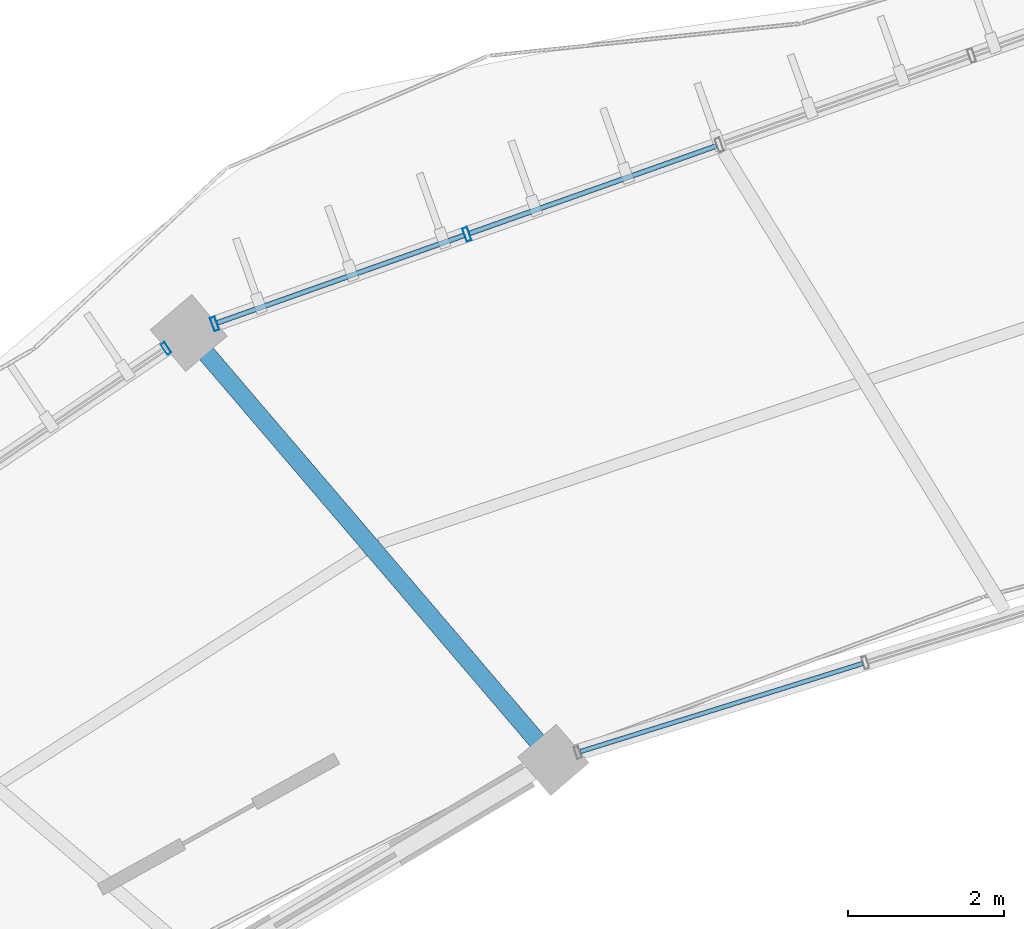
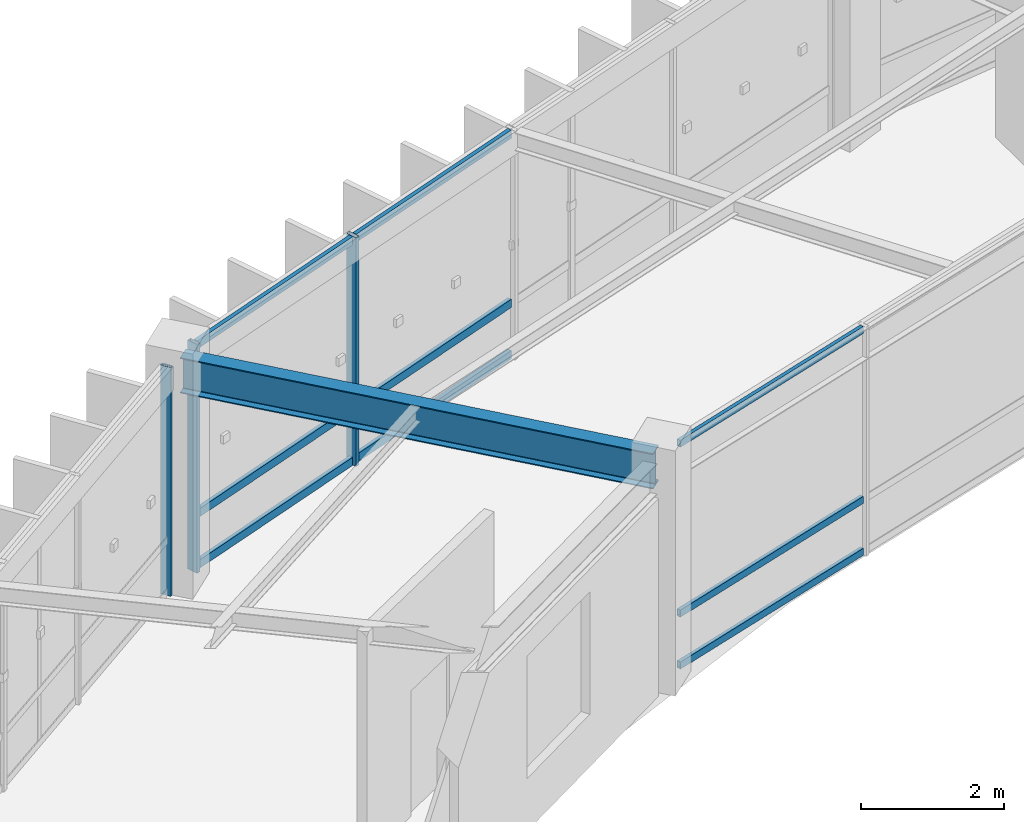
# One storey, part 46 of 138: 12 members, 1 beam, 3 elements without a shape of their own.
"""IFC4 building model written with IfcOpenShell, lengths in metres."""

from ifc_helpers import new_model, si_unit, direction, frame, origin, origin_2d, place, context, subcontext, project, spatial, hollow_rectangle, i_section, extrude, material, material_profile, profile_set, type_object, element, aggregate, save


model = new_model("IFC4")

# Units and contexts
model_context = context("Model", 3, precision=1e-05, world=origin(), true_north=direction((0.0, 1.0)))
body_context = subcontext(model_context, "Body", "Model", "MODEL_VIEW")
ifc_project = project(units=[si_unit("LENGTHUNIT", "METRE"), si_unit("AREAUNIT", "SQUARE_METRE"), si_unit("VOLUMEUNIT", "CUBIC_METRE"), si_unit("PLANEANGLEUNIT", "RADIAN"), si_unit("MASSUNIT", "GRAM", prefix="KILO"), si_unit("THERMODYNAMICTEMPERATUREUNIT", "KELVIN"), si_unit("POWERUNIT", "WATT")], contexts=[model_context])

# Site, building, storey
site_placement = place(None, origin())
site = spatial("IfcSite", under=ifc_project, at=site_placement, CompositionType="ELEMENT")
building_placement = place(site_placement, origin())
building = spatial("IfcBuilding", under=site, at=building_placement, Name="Darbajah Civic Hall", CompositionType="ELEMENT")
storey_placement = place(building_placement, frame((0.0, 0.0, 9.60009765625)))
storey = spatial("IfcBuildingStorey", under=building, at=storey_placement, Name="L02", CompositionType="ELEMENT", Elevation=9.60009765625)

# Curtain wall, member
ifc_material_1 = material(Name="Anodised Bronze Aluminium and Low-E Glazing", Category="aluminium")
curtain_wall_type_1 = type_object("IfcCurtainWallType", Name="Unitised Curtain Wall CW-26 11800x3900", PredefinedType="USERDEFINED", material=ifc_material_1)
curtain_wall_1_placement = place(storey_placement, origin())
curtain_wall_1 = element("IfcCurtainWall", 1, at=curtain_wall_1_placement, inside=storey, type_object=curtain_wall_type_1, Name="L02 unitised curtain wall CW-V1O-L02-07", ObjectType="UNITISED CURTAIN WALL", PredefinedType="USERDEFINED")
ifc_material_2 = material(Name="Anodised Bronze Aluminium", Category="aluminium")
ifc_material_profile_1 = material_profile(ifc_material_2, hollow_rectangle(XDim=0.06005859375, YDim=0.159912109375, WallThickness=0.00341796875, at=origin_2d()), Name="ALU MULLION 60x160")
ifc_profile_set_1 = profile_set([ifc_material_profile_1], Name="Anodised Bronze Aluminium")
member_type_1 = type_object("IfcMemberType", Name="ALU MULLION 60x160", PredefinedType="MULLION", material=ifc_profile_set_1)
member_1_placement = place(storey_placement, frame((55.686767578125, 112.03466796875, 0.0), z_axis=(0.0, 0.0, 1.0), x_axis=(-0.827962472047, -0.560783509816, 0.0)))
member_1 = element("IfcMember", 2, at=member_1_placement, type_object=member_type_1, Name="CW-V1O-L02-07 mullion 1", PredefinedType="MULLION", context=body_context, shape_type="SweptSolid", body=[
    extrude(hollow_rectangle(XDim=0.06005859375, YDim=0.159912109375, WallThickness=0.00341796875, at=origin_2d()), origin(), (0.0, 0.0, 1.0), 3.919921875),
])
aggregate(curtain_wall_1, [member_1])

# Curtain wall, members
curtain_wall_type_2 = type_object("IfcCurtainWallType", Name="Unitised Curtain Wall CW-24 13700x3900", PredefinedType="USERDEFINED", material=ifc_material_1)
curtain_wall_2_placement = place(storey_placement, origin())
curtain_wall_2 = element("IfcCurtainWall", 3, at=curtain_wall_2_placement, inside=storey, type_object=curtain_wall_type_2, Name="L02 unitised curtain wall CW-V1O-L02-06", ObjectType="UNITISED CURTAIN WALL", PredefinedType="USERDEFINED")
ifc_material_profile_2 = material_profile(ifc_material_2, hollow_rectangle(XDim=0.06494140625, YDim=0.179931640625, WallThickness=0.00390625, at=origin_2d()), Name="ALU MULLION 65x180")
ifc_profile_set_2 = profile_set([ifc_material_profile_2], Name="Anodised Bronze Aluminium")
member_type_2 = type_object("IfcMemberType", Name="ALU MULLION 65x180", PredefinedType="MULLION", material=ifc_profile_set_2)
member_2_placement = place(storey_placement, frame((59.545166015625, 113.496337890625, 0.0), z_axis=(0.0, 0.0, 1.0), x_axis=(-0.94252491309, -0.334135882844, 0.0)))
member_2 = element("IfcMember", 4, at=member_2_placement, type_object=member_type_2, Name="CW-V1O-L02-06 mullion 4", PredefinedType="MULLION", context=body_context, shape_type="SweptSolid", body=[
    extrude(hollow_rectangle(XDim=0.06494140625, YDim=0.179931640625, WallThickness=0.00390625, at=origin_2d()), origin(), (0.0, 0.0, 1.0), 3.919921875),
])
member_3_placement = place(storey_placement, frame((56.309814453125, 112.349609375, 0.0), z_axis=(0.0, 0.0, 1.0), x_axis=(-0.94252491309, -0.334135882844, 0.0)))
member_3 = element("IfcMember", 5, at=member_3_placement, type_object=member_type_2, Name="CW-V1O-L02-06 mullion 5", PredefinedType="MULLION", context=body_context, shape_type="SweptSolid", body=[
    extrude(hollow_rectangle(XDim=0.06494140625, YDim=0.179931640625, WallThickness=0.00390625, at=origin_2d()), origin(), (0.0, 0.0, 1.0), 3.919921875),
])

curtain_wall_type_3 = type_object("IfcCurtainWallType", Name="Unitised Curtain Wall CW-43 11600x3900", PredefinedType="USERDEFINED", material=ifc_material_1)
curtain_wall_3_placement = place(storey_placement, origin())
curtain_wall_3 = element("IfcCurtainWall", 6, at=curtain_wall_3_placement, inside=storey, type_object=curtain_wall_type_3, Name="L02 unitised curtain wall CW-V1I-L02-06", ObjectType="UNITISED CURTAIN WALL", PredefinedType="USERDEFINED")
ifc_material_profile_3 = material_profile(ifc_material_2, hollow_rectangle(XDim=0.06005859375, YDim=0.1201171875, WallThickness=0.003173828125, at=origin_2d()), Name="ALU TRANSOM 60x120")
ifc_profile_set_3 = profile_set([ifc_material_profile_3], Name="Anodised Bronze Aluminium")
member_type_3 = type_object("IfcMemberType", Name="ALU TRANSOM 60x120", PredefinedType="USERDEFINED", material=ifc_profile_set_3)
member_4_placement = place(storey_placement, frame((64.61962890625, 107.994384765625, 0.059814453125), z_axis=(-0.954616206684, -0.297838711278, 0.0), x_axis=(0.297838711278, -0.954616206684, 0.0)))
member_4 = element("IfcMember", 7, at=member_4_placement, type_object=member_type_3, Name="CW-V1I-L02-06 transom 3.1", ObjectType="TRANSOM", PredefinedType="USERDEFINED", context=body_context, shape_type="SweptSolid", body=[
    extrude(hollow_rectangle(XDim=0.06005859375, YDim=0.1201171875, WallThickness=0.003173828125, at=origin_2d()), origin(), (0.0, 0.0, 1.0), 3.7919921875),
])
member_5_placement = place(storey_placement, frame((64.61962890625, 107.994384765625, 0.949951171875), z_axis=(-0.954616206684, -0.297838711278, 0.0), x_axis=(0.297838711278, -0.954616206684, 0.0)))
member_5 = element("IfcMember", 8, at=member_5_placement, type_object=member_type_3, Name="CW-V1I-L02-06 transom 3.2", ObjectType="TRANSOM", PredefinedType="USERDEFINED", context=body_context, shape_type="SweptSolid", body=[
    extrude(hollow_rectangle(XDim=0.06005859375, YDim=0.1201171875, WallThickness=0.003173828125, at=origin_2d()), origin(), (0.0, 0.0, 1.0), 3.7919921875),
])
member_6_placement = place(storey_placement, frame((64.61962890625, 107.994384765625, 3.85986328125), z_axis=(-0.954616206684, -0.297838711278, 0.0), x_axis=(0.297838711278, -0.954616206684, 0.0)))
member_6 = element("IfcMember", 9, at=member_6_placement, type_object=member_type_3, Name="CW-V1I-L02-06 transom 3.3", ObjectType="TRANSOM", PredefinedType="USERDEFINED", context=body_context, shape_type="SweptSolid", body=[
    extrude(hollow_rectangle(XDim=0.06005859375, YDim=0.1201171875, WallThickness=0.003173828125, at=origin_2d()), origin(), (0.0, 0.0, 1.0), 3.7919921875),
])
aggregate(curtain_wall_3, [member_4, member_5, member_6])

# Member
ifc_material_profile_4 = material_profile(ifc_material_2, hollow_rectangle(XDim=0.06494140625, YDim=0.139892578125, WallThickness=0.00341796875, at=origin_2d()), Name="ALU TRANSOM 65x140")
ifc_profile_set_4 = profile_set([ifc_material_profile_4], Name="Anodised Bronze Aluminium")
member_type_4 = type_object("IfcMemberType", Name="ALU TRANSOM 65x140", PredefinedType="USERDEFINED", material=ifc_profile_set_4)
member_7_placement = place(storey_placement, frame((62.745361328125, 114.630615234375, 0.06982421875), z_axis=(-0.942537095742, -0.334101516234, 0.0), x_axis=(0.334101516234, -0.942537095742, 0.0)))
member_7 = element("IfcMember", 10, at=member_7_placement, type_object=member_type_4, Name="CW-V1O-L02-06 transom 3.1", ObjectType="TRANSOM", PredefinedType="USERDEFINED", context=body_context, shape_type="SweptSolid", body=[
    extrude(hollow_rectangle(XDim=0.06494140625, YDim=0.139892578125, WallThickness=0.00341796875, at=origin_2d()), origin(), (0.0, 0.0, 1.0), 3.357666015625),
])

member_8_placement = place(storey_placement, frame((62.745361328125, 114.630615234375, 0.949951171875), z_axis=(-0.942537095742, -0.334101516234, 0.0), x_axis=(0.334101516234, -0.942537095742, 0.0)))
member_8 = element("IfcMember", 11, at=member_8_placement, type_object=member_type_4, Name="CW-V1O-L02-06 transom 3.2", ObjectType="TRANSOM", PredefinedType="USERDEFINED", context=body_context, shape_type="SweptSolid", body=[
    extrude(hollow_rectangle(XDim=0.06494140625, YDim=0.139892578125, WallThickness=0.00341796875, at=origin_2d()), origin(), (0.0, 0.0, 1.0), 3.357666015625),
])

member_9_placement = place(storey_placement, frame((62.745361328125, 114.630615234375, 3.849853515625), z_axis=(-0.942537095742, -0.334101516234, 0.0), x_axis=(0.334101516234, -0.942537095742, 0.0)))
member_9 = element("IfcMember", 12, at=member_9_placement, type_object=member_type_4, Name="CW-V1O-L02-06 transom 3.3", ObjectType="TRANSOM", PredefinedType="USERDEFINED", context=body_context, shape_type="SweptSolid", body=[
    extrude(hollow_rectangle(XDim=0.06494140625, YDim=0.139892578125, WallThickness=0.00341796875, at=origin_2d()), origin(), (0.0, 0.0, 1.0), 3.357666015625),
])

member_10_placement = place(storey_placement, frame((59.510009765625, 113.48388671875, 0.06982421875), z_axis=(-0.942537095742, -0.334101516234, 0.0), x_axis=(0.334101516234, -0.942537095742, 0.0)))
member_10 = element("IfcMember", 13, at=member_10_placement, type_object=member_type_4, Name="CW-V1O-L02-06 transom 4.1", ObjectType="TRANSOM", PredefinedType="USERDEFINED", context=body_context, shape_type="SweptSolid", body=[
    extrude(hollow_rectangle(XDim=0.06494140625, YDim=0.139892578125, WallThickness=0.00341796875, at=origin_2d()), origin(), (0.0, 0.0, 1.0), 3.357666015625),
])

member_11_placement = place(storey_placement, frame((59.510009765625, 113.48388671875, 0.949951171875), z_axis=(-0.942537095742, -0.334101516234, 0.0), x_axis=(0.334101516234, -0.942537095742, 0.0)))
member_11 = element("IfcMember", 14, at=member_11_placement, type_object=member_type_4, Name="CW-V1O-L02-06 transom 4.2", ObjectType="TRANSOM", PredefinedType="USERDEFINED", context=body_context, shape_type="SweptSolid", body=[
    extrude(hollow_rectangle(XDim=0.06494140625, YDim=0.139892578125, WallThickness=0.00341796875, at=origin_2d()), origin(), (0.0, 0.0, 1.0), 3.357666015625),
])

member_12_placement = place(storey_placement, frame((59.510009765625, 113.48388671875, 3.849853515625), z_axis=(-0.942537095742, -0.334101516234, 0.0), x_axis=(0.334101516234, -0.942537095742, 0.0)))
member_12 = element("IfcMember", 15, at=member_12_placement, type_object=member_type_4, Name="CW-V1O-L02-06 transom 4.3", ObjectType="TRANSOM", PredefinedType="USERDEFINED", context=body_context, shape_type="SweptSolid", body=[
    extrude(hollow_rectangle(XDim=0.06494140625, YDim=0.139892578125, WallThickness=0.00341796875, at=origin_2d()), origin(), (0.0, 0.0, 1.0), 3.357666015625),
])

aggregate(curtain_wall_2, [member_2, member_3, member_7, member_8, member_9, member_10, member_11, member_12])

# Beam
ifc_material_3 = material(Name="Steel S355JR", Category="steel")
ifc_material_profile_5 = material_profile(ifc_material_3, i_section(OverallWidth=0.228271484375, OverallDepth=0.607666015625, WebThickness=0.010986328125, FlangeThickness=0.017333984375, FilletRadius=0.0126953125, at=origin_2d()), Name="UB 610x229x113")
ifc_profile_set_5 = profile_set([ifc_material_profile_5], Name="Steel S355JR")
beam_type = type_object("IfcBeamType", Name="UB 610x229x113", PredefinedType="BEAM", material=ifc_profile_set_5)
beam_placement = place(storey_placement, frame((60.602294921875, 106.81787109375, 3.6162109375), z_axis=(-0.649459534081, 0.760396155692, 0.0), x_axis=(-0.760396155692, -0.649459534081, 0.0)))
element("IfcBeam", 16, at=beam_placement, inside=storey, type_object=beam_type, Name="L02 beam SB-610", PredefinedType="BEAM", context=body_context, shape_type="SweptSolid", body=[
    extrude(i_section(OverallWidth=0.228271484375, OverallDepth=0.607666015625, WebThickness=0.010986328125, FlangeThickness=0.017333984375, FilletRadius=0.0126953125, at=origin_2d()), origin(), (0.0, 0.0, 1.0), 7.0400390625),
])

save(model, "model.ifc")
